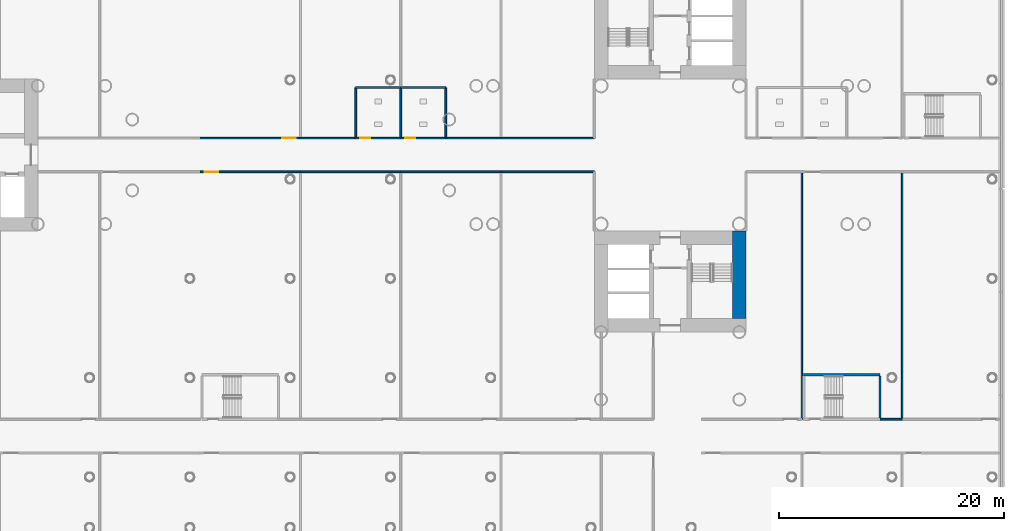
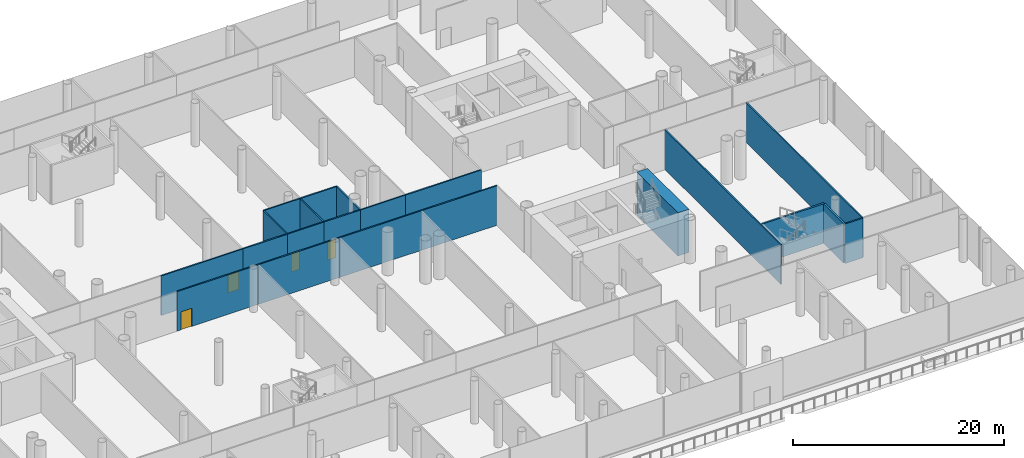
# One storey, part 21 of 59: 21 walls, 4 doors, 4 openings.
"""IFC4 building model written with IfcOpenShell, lengths in metres."""

import ifcopenshell
import ifcopenshell.guid

model = None  # the IFC model being written
_history = None  # IfcOwnerHistory: only IFC2X3 demands one
_inside = {}  # id of a spatial element -> (the spatial element, [elements in it])
_under = {}  # id of a project, library or spatial element -> (it, [spatial elements below it])
_declared = {}  # id of a project -> (the project, [libraries it declares])
_typed = {}  # id of a type object -> (the type object, [elements of that type])
_made_of = {}  # id of a material, layer set ... -> (it, [elements and type objects made of it])


def new_model(schema):
    """Start an empty IFC model of exactly this schema.

    Asked for "IFC4X3", IfcOpenShell would pick the latest addendum, in which some entities
    have other attributes; the version numbers below select the first issue.
    IFC2X3 requires an IfcOwnerHistory on every rooted entity: one is made here for all.
    """
    global model, _history
    if schema == "IFC4X3":
        model = ifcopenshell.file(schema_version=(4, 3, 0, 0))
    else:
        model = ifcopenshell.file(schema=schema)
    _inside.clear()
    _under.clear()
    _declared.clear()
    _typed.clear()
    _made_of.clear()
    _history = None
    if model.schema == "IFC2X3":
        org = make("IfcOrganization", Name="unknown")
        user = make(
            "IfcPersonAndOrganization",
            ThePerson=make("IfcPerson", FamilyName="unknown"),
            TheOrganization=org,
        )
        app = make(
            "IfcApplication",
            ApplicationDeveloper=org,
            Version="unknown",
            ApplicationFullName="unknown",
            ApplicationIdentifier="unknown",
        )
        _history = make(
            "IfcOwnerHistory",
            OwningUser=user,
            OwningApplication=app,
            ChangeAction="ADDED",
            CreationDate=0,
        )
    return model


def make(cls, **values):
    """One entity of the class cls with the attributes given. An attribute that is None is left unset."""
    return model.create_entity(
        cls, **{name: value for name, value in values.items() if value is not None}
    )


def rooted(cls, **values):
    """An entity with a GlobalId (a new one), such as an element, a storey or a relation."""
    return make(cls, GlobalId=ifcopenshell.guid.new(), OwnerHistory=_history, **values)


def si_unit(unit_type, name, prefix=None):
    """IfcSIUnit, for example si_unit("LENGTHUNIT", "METRE", prefix="MILLI")."""
    return make("IfcSIUnit", UnitType=unit_type, Prefix=prefix, Name=name)


def assignment(units):
    """IfcUnitAssignment: the units of a project."""
    return None if units is None else make("IfcUnitAssignment", Units=units)


def point(xyz):
    """IfcCartesianPoint."""
    return None if xyz is None else make("IfcCartesianPoint", Coordinates=xyz)


def direction(xyz):
    """IfcDirection."""
    return None if xyz is None else make("IfcDirection", DirectionRatios=xyz)


def frame(location, z_axis=None, x_axis=None):
    """IfcAxis2Placement3D, a coordinate frame: its origin and axes. An axis left out is left unset."""
    return make(
        "IfcAxis2Placement3D",
        Location=point(location),
        Axis=direction(z_axis),
        RefDirection=direction(x_axis),
    )


def frame_2d(location, x_axis=None):
    """IfcAxis2Placement2D, a coordinate frame in the plane: its origin and x axis."""
    return make(
        "IfcAxis2Placement2D", Location=point(location), RefDirection=direction(x_axis)
    )


def origin():
    """The frame at (0, 0, 0) with its axes left unset."""
    return frame((0.0, 0.0, 0.0))


def place(relative_to, where):
    """IfcLocalPlacement: puts the frame where relative to a parent placement (None: the world)."""
    return make(
        "IfcLocalPlacement", PlacementRelTo=relative_to, RelativePlacement=where
    )


def context(
    kind, dimensions, precision=None, world=None, true_north=None, identifier=None
):
    """IfcGeometricRepresentationContext, for example the 3D "Model" context."""
    return make(
        "IfcGeometricRepresentationContext",
        ContextIdentifier=identifier,
        ContextType=kind,
        CoordinateSpaceDimension=dimensions,
        Precision=precision,
        WorldCoordinateSystem=world,
        TrueNorth=true_north,
    )


def subcontext(parent, identifier, kind, view, scale=None):
    """IfcGeometricRepresentationSubContext, for example "Body" below "Model"."""
    return make(
        "IfcGeometricRepresentationSubContext",
        ContextIdentifier=identifier,
        ContextType=kind,
        ParentContext=parent,
        TargetScale=scale,
        TargetView=view,
    )


def project(units=None, contexts=None):
    """IfcProject with its units and contexts."""
    return rooted(
        "IfcProject",
        Name="project",
        RepresentationContexts=contexts,
        UnitsInContext=assignment(units),
    )


def spatial(cls, under=None, at=None, **own):
    """A site, building, storey or space (cls), placed at a placement, below another one or the project."""
    s = rooted(cls, ObjectPlacement=at, **own)
    if under is not None:
        _under.setdefault(under.id(), (under, []))[1].append(s)
    return s


def profile(cls, at=None, kind="AREA", **sizes):
    """A parametric profile (cls). Its sizes go by their IFC names, for example OverallWidth=200.0."""
    return make(cls, ProfileType=kind, Position=at, **sizes)


def rectangle(**sizes):
    """IfcRectangleProfileDef."""
    return profile("IfcRectangleProfileDef", **sizes)


def extrude(swept, where, along, depth):
    """IfcExtrudedAreaSolid: the profile swept, set in the frame where, extruded along a direction by depth."""
    return make(
        "IfcExtrudedAreaSolid",
        SweptArea=swept,
        Position=where,
        ExtrudedDirection=direction(along),
        Depth=depth,
    )


def shape(context_of_items, identifier, shape_type, items):
    """IfcShapeRepresentation: the items that make up one representation, for example the "Body"."""
    return make(
        "IfcShapeRepresentation",
        ContextOfItems=context_of_items,
        RepresentationIdentifier=identifier,
        RepresentationType=shape_type,
        Items=items,
    )


def material(Name=None, Category=None):
    """IfcMaterial."""
    return make("IfcMaterial", Name=Name, Category=Category)


def layer(
    of_material, thickness, ventilated=None, Name=None, Category=None, Priority=None
):
    """IfcMaterialLayer: one layer of a wall or slab, of a material (None: an air gap)."""
    return make(
        "IfcMaterialLayer",
        Material=of_material,
        LayerThickness=thickness,
        IsVentilated=ventilated,
        Name=Name,
        Category=Category,
        Priority=Priority,
    )


def layer_set(layers, Name=None):
    """IfcMaterialLayerSet."""
    return make("IfcMaterialLayerSet", MaterialLayers=layers, LayerSetName=Name)


def made_of(thing, what):
    """Note that an element or type object is made of a material, layer set ...; save() writes the relation."""
    if what is not None:
        _made_of.setdefault(what.id(), (what, []))[1].append(thing)
    return thing


def type_object(cls, material=None, **own):
    """A type object (cls), such as IfcWallType, which elements share."""
    return made_of(rooted(cls, **own), material)


def element(
    cls,
    number,
    at=None,
    inside=None,
    cuts=None,
    type_object=None,
    material=None,
    context=None,
    identifier="Body",
    shape_type=None,
    held_by="IfcProductDefinitionShape",
    body=None,
    shapes=None,
    **own,
):
    """One element of the class cls, such as IfcWall. Its Tag is "e" and its number.

    at: its placement. inside: the storey or other place that contains it. cuts: it is an
    opening in that element (IfcRelVoidsElement). A single representation is given by context,
    identifier, shape_type and body (its items); several are given by shapes. held_by: the class
    of the entity that holds the representations. save() writes the other relations.
    """
    e = rooted(cls, Tag="e%d" % number, ObjectPlacement=at, **own)
    if body is not None:
        shapes = [shape(context, identifier, shape_type, body)]
    if shapes is not None:
        e.Representation = make(held_by, Representations=shapes)
    if inside is not None:
        _inside.setdefault(inside.id(), (inside, []))[1].append(e)
    if cuts is not None:
        rooted(
            "IfcRelVoidsElement", RelatingBuildingElement=cuts, RelatedOpeningElement=e
        )
    if type_object is not None:
        _typed.setdefault(type_object.id(), (type_object, []))[1].append(e)
    return made_of(e, material)


def fill(opening, filler):
    """IfcRelFillsElement: the door or window that sits in an opening."""
    return rooted(
        "IfcRelFillsElement",
        RelatingOpeningElement=opening,
        RelatedBuildingElement=filler,
    )


def aggregate(whole, parts):
    """IfcRelAggregates: a whole, such as a stair, and the parts it consists of."""
    return rooted("IfcRelAggregates", RelatingObject=whole, RelatedObjects=parts)


def save(model, path):
    """Write the relations noted so far, then the file.

    IfcRelAggregates (storeys below a building ...), IfcRelContainedInSpatialStructure (elements
    in a storey), IfcRelDefinesByType, IfcRelAssociatesMaterial and IfcRelDeclares: one each for
    every whole, place, type object, material and project.
    """
    for whole, parts in _under.values():
        aggregate(whole, parts)
    for where, things in _inside.values():
        rooted(
            "IfcRelContainedInSpatialStructure",
            RelatedElements=things,
            RelatingStructure=where,
        )
    for kind, things in _typed.values():
        rooted("IfcRelDefinesByType", RelatedObjects=things, RelatingType=kind)
    for what, things in _made_of.values():
        rooted("IfcRelAssociatesMaterial", RelatedObjects=things, RelatingMaterial=what)
    for by, libraries in _declared.values():
        rooted("IfcRelDeclares", RelatingContext=by, RelatedDefinitions=libraries)
    model.write(path)


model = new_model("IFC4")

# Units and contexts
model_context = context("Model", 3, precision=1e-05, world=origin(), true_north=direction((0.0, 1.0)))
body_context = subcontext(model_context, "Body", "Model", "MODEL_VIEW")
ifc_project = project(units=[si_unit("LENGTHUNIT", "METRE"), si_unit("AREAUNIT", "SQUARE_METRE"), si_unit("VOLUMEUNIT", "CUBIC_METRE"), si_unit("PLANEANGLEUNIT", "RADIAN"), si_unit("MASSUNIT", "GRAM", prefix="KILO")], contexts=[model_context])

# Site, building, storey
site_placement = place(None, origin())
site = spatial("IfcSite", under=ifc_project, at=site_placement, CompositionType="ELEMENT")
building_placement = place(site_placement, origin())
building = spatial("IfcBuilding", under=site, at=building_placement, Name="Ipe Terrace Towers", CompositionType="ELEMENT")
storey_placement = place(building_placement, frame((0.0, 0.0, 6.0)))
storey = spatial("IfcBuildingStorey", under=building, at=storey_placement, Name="L01", CompositionType="ELEMENT", Elevation=6.0)

# Wall, opening, door
ifc_material_1 = material(Name="Gypsum board partition", Category="plasterboard")
ifc_layer_1 = layer(ifc_material_1, 0.14990234375)
ifc_layer_set_1 = layer_set([ifc_layer_1], Name="Gypsum board partition 150 mm")
wall_type_1 = type_object("IfcWallType", Name="Gypsum board partition 150 mm", PredefinedType="PARTITIONING", material=ifc_layer_set_1)
wall_1_placement = place(storey_placement, frame((-5.81005859375, -1.5, 0.0), z_axis=(0.0, 0.0, 1.0), x_axis=(1.0, 0.0, 0.0)))
wall_1 = element("IfcWall", 1, at=wall_1_placement, inside=storey, type_object=wall_type_1, Name="Gypsum board partition T2 L01 pd-r30-w4", PredefinedType="PARTITIONING", context=body_context, shape_type="SweptSolid", body=[
    extrude(rectangle(XDim=8.920166015625, YDim=0.14990234375, at=frame_2d((4.4599609375, 0.0))), origin(), (0.0, 0.0, 1.0), 4.580078125),
])
opening_1_placement = place(wall_1_placement, frame((0.39990234375, 0.0, 0.0)))
opening_1 = element("IfcOpeningElement", 2, at=opening_1_placement, cuts=wall_1, Name="Opening PD-L01-r30", PredefinedType="OPENING", context=body_context, shape_type="SweptSolid", body=[
    extrude(rectangle(XDim=1.199951171875, YDim=2.10009765625, at=frame_2d((0.60009765625, 1.050048828125))), frame((0.0, 0.0849609375, 0.0), z_axis=(0.0, -1.0, 0.0), x_axis=(1.0, 0.0, 0.0)), (0.0, 0.0, 1.0), 0.169921875),
])
ifc_material_2 = material(Name="Fire-rated timber door leaf", Category="wood")
door_type_1 = type_object("IfcDoorType", Name="Lounge door 1200 x 2100 FD30S", OperationType="NOTDEFINED", PredefinedType="DOOR", material=ifc_material_2)
door_1_placement = place(opening_1_placement, origin())
door_1 = element("IfcDoor", 3, at=door_1_placement, inside=storey, type_object=door_type_1, Name="Lounge door PD-L01-r30", OperationType="SINGLE_SWING_RIGHT", OverallHeight=2.10009765625, OverallWidth=1.199951171875, PredefinedType="DOOR", context=body_context, shape_type="SweptSolid", body=[
    extrude(rectangle(XDim=1.199951171875, YDim=2.10009765625, at=frame_2d((0.60009765625, 1.050048828125))), frame((0.0, 0.02490234375, 0.0), z_axis=(0.0, -1.0, 0.0), x_axis=(1.0, 0.0, 0.0)), (0.0, 0.0, 1.0), 0.050048828125),
])
fill(opening_1, door_1)

wall_2_placement = place(storey_placement, frame((3.110107421875, 1.5, 0.0), z_axis=(0.0, 0.0, 1.0), x_axis=(-1.0, 0.0, 0.0)))
wall_2 = element("IfcWall", 4, at=wall_2_placement, inside=storey, type_object=wall_type_1, Name="Gypsum board partition T2 L01 pd-r31-w8", PredefinedType="PARTITIONING", context=body_context, shape_type="SweptSolid", body=[
    extrude(rectangle(XDim=8.920166015625, YDim=0.14990234375, at=frame_2d((4.4599609375, 0.0))), origin(), (0.0, 0.0, 1.0), 4.580078125),
])
opening_2_placement = place(wall_2_placement, frame((0.39990234375, 0.0, 0.0)))
opening_2 = element("IfcOpeningElement", 5, at=opening_2_placement, cuts=wall_2, Name="Opening PD-L01-r31", PredefinedType="OPENING", context=body_context, shape_type="SweptSolid", body=[
    extrude(rectangle(XDim=1.199951171875, YDim=2.10009765625, at=frame_2d((0.60009765625, 1.050048828125))), frame((0.0, 0.0849609375, 0.0), z_axis=(0.0, -1.0, 0.0), x_axis=(1.0, 0.0, 0.0)), (0.0, 0.0, 1.0), 0.169921875),
])
door_2_placement = place(opening_2_placement, origin())
door_2 = element("IfcDoor", 6, at=door_2_placement, inside=storey, type_object=door_type_1, Name="Lounge door PD-L01-r31", OperationType="SINGLE_SWING_RIGHT", OverallHeight=2.10009765625, OverallWidth=1.199951171875, PredefinedType="DOOR", context=body_context, shape_type="SweptSolid", body=[
    extrude(rectangle(XDim=1.199951171875, YDim=2.10009765625, at=frame_2d((0.60009765625, 1.050048828125))), frame((0.0, 0.02490234375, 0.0), z_axis=(0.0, -1.0, 0.0), x_axis=(1.0, 0.0, 0.0)), (0.0, 0.0, 1.0), 0.050048828125),
])
fill(opening_2, door_2)

# Walls
wall_3_placement = place(storey_placement, frame((8.030029296875, 1.5, 0.0), z_axis=(0.0, 0.0, 1.0), x_axis=(-1.0, 0.0, 0.0)))
element("IfcWall", 7, at=wall_3_placement, inside=storey, type_object=wall_type_1, Name="Gypsum board partition T2 L01 pd-r32-w10", PredefinedType="PARTITIONING", context=body_context, shape_type="SweptSolid", body=[
    extrude(rectangle(XDim=4.919921875, YDim=0.14990234375, at=frame_2d((2.4599609375, 0.0))), origin(), (0.0, 0.0, 1.0), 4.580078125),
])
for number, where, z_axis, x_axis, name in (
    (8, (3.110107421875, -1.5, 0.0), (0.0, 0.0, 1.0), (1.0, 0.0, 0.0), "Gypsum board partition T2 L01 pd-r34-w16"),
    (9, (12.030029296875, -1.5, 0.0), (0.0, 0.0, 1.0), (1.0, 0.0, 0.0), "Gypsum board partition T2 L01 pd-r37-w23"),
):
    element("IfcWall", number, at=place(storey_placement, frame(where, z_axis=z_axis, x_axis=x_axis)), inside=storey, type_object=wall_type_1, Name=name, PredefinedType="PARTITIONING", context=body_context, shape_type="SweptSolid", body=[
        extrude(rectangle(XDim=8.919921875, YDim=0.14990234375, at=frame_2d((4.4599609375, 0.0))), origin(), (0.0, 0.0, 1.0), 4.580078125),
    ])
wall_4_placement = place(storey_placement, frame((20.949951171875, 1.5, 0.0), z_axis=(0.0, 0.0, 1.0), x_axis=(-1.0, 0.0, 0.0)))
element("IfcWall", 10, at=wall_4_placement, inside=storey, type_object=wall_type_1, Name="Gypsum board partition T2 L01 pd-r39-w28", PredefinedType="PARTITIONING", context=body_context, shape_type="SweptSolid", body=[
    extrude(rectangle(XDim=4.919921875, YDim=0.14990234375, at=frame_2d((2.4599609375, 0.0))), origin(), (0.0, 0.0, 1.0), 4.580078125),
])
for number, where, z_axis, x_axis, name in (
    (11, (20.949951171875, -1.5, 0.0), (0.0, 0.0, 1.0), (1.0, 0.0, 0.0), "Gypsum board partition T2 L01 pd-r40-w32"),
    (12, (29.25, 1.5, 0.0), (0.0, 0.0, 1.0), (-1.0, 0.0, 0.0), "Gypsum board partition T2 L01 pd-r41-w36"),
):
    element("IfcWall", number, at=place(storey_placement, frame(where, z_axis=z_axis, x_axis=x_axis)), inside=storey, type_object=wall_type_1, Name=name, PredefinedType="PARTITIONING", context=body_context, shape_type="SweptSolid", body=[
        extrude(rectangle(XDim=8.300048828125, YDim=0.14990234375, at=frame_2d((4.14990234375, 0.0))), origin(), (0.0, 0.0, 1.0), 4.580078125),
    ])
wall_5_placement = place(storey_placement, frame((47.7099609375, -1.5, 0.0), z_axis=(0.0, 0.0, 1.0), x_axis=(0.0, -1.0, 0.0)))
element("IfcWall", 13, at=wall_5_placement, inside=storey, type_object=wall_type_1, Name="Gypsum board partition T2 L01 pd-r50-r53-w58", PredefinedType="PARTITIONING", context=body_context, shape_type="SweptSolid", body=[
    extrude(rectangle(XDim=22.0, YDim=0.14990234375, at=frame_2d((11.0, 0.0))), origin(), (0.0, 0.0, 1.0), 4.580078125),
])
wall_6_placement = place(storey_placement, frame((56.6298828125, -23.5, 0.0), z_axis=(0.0, 0.0, 1.0), x_axis=(-1.0, 0.0, 0.0)))
element("IfcWall", 14, at=wall_6_placement, inside=storey, type_object=wall_type_1, Name="Gypsum board partition T2 L01 pd-r53-w63", PredefinedType="PARTITIONING", context=body_context, shape_type="SweptSolid", body=[
    extrude(rectangle(XDim=1.9599609375, YDim=0.14990234375, at=frame_2d((0.97998046875, 0.0))), origin(), (0.0, 0.0, 1.0), 4.580078125),
])
wall_7_placement = place(storey_placement, frame((56.6298828125, -1.5, 0.0), z_axis=(0.0, 0.0, 1.0), x_axis=(0.0, -1.0, 0.0)))
element("IfcWall", 15, at=wall_7_placement, inside=storey, type_object=wall_type_1, Name="Gypsum board partition T2 L01 pd-r53-r56-w65", PredefinedType="PARTITIONING", context=body_context, shape_type="SweptSolid", body=[
    extrude(rectangle(XDim=22.0, YDim=0.14990234375, at=frame_2d((11.0, 0.0))), origin(), (0.0, 0.0, 1.0), 4.580078125),
])

# Wall, opening, door
wall_8_placement = place(storey_placement, frame((8.030029296875, 1.5, 0.0), z_axis=(0.0, 0.0, 1.0), x_axis=(1.0, 0.0, 0.0)))
wall_8 = element("IfcWall", 16, at=wall_8_placement, inside=storey, type_object=wall_type_1, Name="Gypsum board partition T2 L01 pd-c1-w75", PredefinedType="PARTITIONING", context=body_context, shape_type="SweptSolid", body=[
    extrude(rectangle(XDim=4.0, YDim=0.14990234375, at=frame_2d((2.0, 0.0))), origin(), (0.0, 0.0, 1.0), 4.580078125),
])
opening_3_placement = place(wall_8_placement, frame((0.39990234375, 0.0, 0.0)))
opening_3 = element("IfcOpeningElement", 17, at=opening_3_placement, cuts=wall_8, Name="Opening PD-L01-c1", PredefinedType="OPENING", context=body_context, shape_type="SweptSolid", body=[
    extrude(rectangle(XDim=0.89990234375, YDim=2.10009765625, at=frame_2d((0.449951171875, 1.050048828125))), frame((0.0, 0.0849609375, 0.0), z_axis=(0.0, -1.0, 0.0), x_axis=(1.0, 0.0, 0.0)), (0.0, 0.0, 1.0), 0.169921875),
])
ifc_material_3 = material(Name="Fire-rated timber door leaf", Category="wood")
door_type_2 = type_object("IfcDoorType", Name="Lounge door 900 x 2100 FD30S", OperationType="NOTDEFINED", PredefinedType="DOOR", material=ifc_material_3)
door_3_placement = place(opening_3_placement, origin())
door_3 = element("IfcDoor", 18, at=door_3_placement, inside=storey, type_object=door_type_2, Name="Lounge door PD-L01-c1", OperationType="SINGLE_SWING_LEFT", OverallHeight=2.10009765625, OverallWidth=0.89990234375, PredefinedType="DOOR", context=body_context, shape_type="SweptSolid", body=[
    extrude(rectangle(XDim=0.89990234375, YDim=2.10009765625, at=frame_2d((0.449951171875, 1.050048828125))), frame((0.0, 0.02490234375, 0.0), z_axis=(0.0, -1.0, 0.0), x_axis=(1.0, 0.0, 0.0)), (0.0, 0.0, 1.0), 0.050048828125),
])
fill(opening_3, door_3)

# Walls
wall_9_placement = place(storey_placement, frame((12.030029296875, 6.0, 0.0), z_axis=(0.0, 0.0, 1.0), x_axis=(-1.0, 0.0, 0.0)))
element("IfcWall", 19, at=wall_9_placement, inside=storey, type_object=wall_type_1, Name="Gypsum board partition T2 L01 pd-c1-r32-w76", PredefinedType="PARTITIONING", context=body_context, shape_type="SweptSolid", body=[
    extrude(rectangle(XDim=4.0, YDim=0.14990234375, at=frame_2d((2.0, 0.0))), origin(), (0.0, 0.0, 1.0), 4.580078125),
])
for number, where, z_axis, x_axis, name in (
    (20, (8.030029296875, 6.0, 0.0), (0.0, 0.0, 1.0), (0.0, -1.0, 0.0), "Gypsum board partition T2 L01 pd-c1-r32-w77"),
    (21, (12.030029296875, 1.5, 0.0), (0.0, 0.0, 1.0), (0.0, 1.0, 0.0), "Gypsum board partition T2 L01 pd-c1-c2-w78"),
):
    element("IfcWall", number, at=place(storey_placement, frame(where, z_axis=z_axis, x_axis=x_axis)), inside=storey, type_object=wall_type_1, Name=name, PredefinedType="PARTITIONING", context=body_context, shape_type="SweptSolid", body=[
        extrude(rectangle(XDim=4.5, YDim=0.14990234375, at=frame_2d((2.25, 0.0))), origin(), (0.0, 0.0, 1.0), 4.580078125),
    ])

# Wall, opening, door
wall_10_placement = place(storey_placement, frame((12.030029296875, 1.5, 0.0), z_axis=(0.0, 0.0, 1.0), x_axis=(1.0, 0.0, 0.0)))
wall_10 = element("IfcWall", 22, at=wall_10_placement, inside=storey, type_object=wall_type_1, Name="Gypsum board partition T2 L01 pd-c2-w79", PredefinedType="PARTITIONING", context=body_context, shape_type="SweptSolid", body=[
    extrude(rectangle(XDim=4.0, YDim=0.14990234375, at=frame_2d((2.0, 0.0))), origin(), (0.0, 0.0, 1.0), 4.580078125),
])
opening_4_placement = place(wall_10_placement, frame((0.39990234375, 0.0, 0.0)))
opening_4 = element("IfcOpeningElement", 23, at=opening_4_placement, cuts=wall_10, Name="Opening PD-L01-c2", PredefinedType="OPENING", context=body_context, shape_type="SweptSolid", body=[
    extrude(rectangle(XDim=0.89990234375, YDim=2.10009765625, at=frame_2d((0.449951171875, 1.050048828125))), frame((0.0, 0.0849609375, 0.0), z_axis=(0.0, -1.0, 0.0), x_axis=(1.0, 0.0, 0.0)), (0.0, 0.0, 1.0), 0.169921875),
])
door_4_placement = place(opening_4_placement, origin())
door_4 = element("IfcDoor", 24, at=door_4_placement, inside=storey, type_object=door_type_2, Name="Lounge door PD-L01-c2", OperationType="SINGLE_SWING_LEFT", OverallHeight=2.10009765625, OverallWidth=0.89990234375, PredefinedType="DOOR", context=body_context, shape_type="SweptSolid", body=[
    extrude(rectangle(XDim=0.89990234375, YDim=2.10009765625, at=frame_2d((0.449951171875, 1.050048828125))), frame((0.0, 0.02490234375, 0.0), z_axis=(0.0, -1.0, 0.0), x_axis=(1.0, 0.0, 0.0)), (0.0, 0.0, 1.0), 0.050048828125),
])
fill(opening_4, door_4)

# Walls
wall_11_placement = place(storey_placement, frame((16.030029296875, 1.5, 0.0), z_axis=(0.0, 0.0, 1.0), x_axis=(0.0, 1.0, 0.0)))
element("IfcWall", 25, at=wall_11_placement, inside=storey, type_object=wall_type_1, Name="Gypsum board partition T2 L01 pd-c2-r39-w80", PredefinedType="PARTITIONING", context=body_context, shape_type="SweptSolid", body=[
    extrude(rectangle(XDim=4.5, YDim=0.14990234375, at=frame_2d((2.25, 0.0))), origin(), (0.0, 0.0, 1.0), 4.580078125),
])
wall_12_placement = place(storey_placement, frame((16.030029296875, 6.0, 0.0), z_axis=(0.0, 0.0, 1.0), x_axis=(-1.0, 0.0, 0.0)))
element("IfcWall", 26, at=wall_12_placement, inside=storey, type_object=wall_type_1, Name="Gypsum board partition T2 L01 pd-c2-r39-w81", PredefinedType="PARTITIONING", context=body_context, shape_type="SweptSolid", body=[
    extrude(rectangle(XDim=4.0, YDim=0.14990234375, at=frame_2d((2.0, 0.0))), origin(), (0.0, 0.0, 1.0), 4.580078125),
])
ifc_material_4 = material(Name="Concrete C60/75", Category="concrete")
ifc_layer_2 = layer(ifc_material_4, 1.199951171875)
ifc_layer_set_2 = layer_set([ifc_layer_2], Name="RW1200 CORE WALL 1200 C60-75")
wall_type_2 = type_object("IfcWallType", Name="RW1200 CORE WALL 1200 C60-75", PredefinedType="SHEAR", material=ifc_layer_set_2)
wall_13_placement = place(storey_placement, frame((42.14990234375, -14.550048828125, 0.0), z_axis=(0.0, 0.0, 1.0), x_axis=(0.0, 1.0, 0.0)))
element("IfcWall", 27, at=wall_13_placement, inside=storey, type_object=wall_type_2, Name="Core wall T2-C2-P-W02", PredefinedType="SHEAR", context=body_context, shape_type="SweptSolid", body=[
    extrude(rectangle(XDim=7.800048828125, YDim=1.199951171875, at=frame_2d((3.89990234375, 0.0))), origin(), (0.0, 0.0, 1.0), 5.0),
])
ifc_material_5 = material(Name="Concrete C40/50", Category="concrete")
ifc_layer_3 = layer(ifc_material_5, 0.199951171875)
ifc_layer_set_3 = layer_set([ifc_layer_3], Name="RW200 PODIUM STAIR SHAFT WALL 200 C40-50")
wall_type_3 = type_object("IfcWallType", Name="RW200 PODIUM STAIR SHAFT WALL 200 C40-50", PredefinedType="SHEAR", material=ifc_layer_set_3)
wall_14_placement = place(storey_placement, frame((47.8701171875, -19.550048828125, 0.0), z_axis=(0.0, 0.0, 1.0), x_axis=(1.0, 0.0, 0.0)))
element("IfcWall", 28, at=wall_14_placement, inside=storey, type_object=wall_type_3, Name="Stair shaft wall T2 L01 ps6-f", PredefinedType="SHEAR", context=body_context, shape_type="SweptSolid", body=[
    extrude(rectangle(XDim=6.7998046875, YDim=0.199951171875, at=frame_2d((3.39990234375, 0.0))), origin(), (0.0, 0.0, 1.0), 4.580078125),
])
wall_15_placement = place(storey_placement, frame((54.669921875, -23.39990234375, 0.0), z_axis=(0.0, 0.0, 1.0), x_axis=(0.0, 1.0, 0.0)))
element("IfcWall", 29, at=wall_15_placement, inside=storey, type_object=wall_type_3, Name="Stair shaft wall T2 L01 ps6-e", PredefinedType="SHEAR", context=body_context, shape_type="SweptSolid", body=[
    extrude(rectangle(XDim=3.75, YDim=0.199951171875, at=frame_2d((1.875, 0.0))), origin(), (0.0, 0.0, 1.0), 4.580078125),
])

save(model, "model.ifc")
